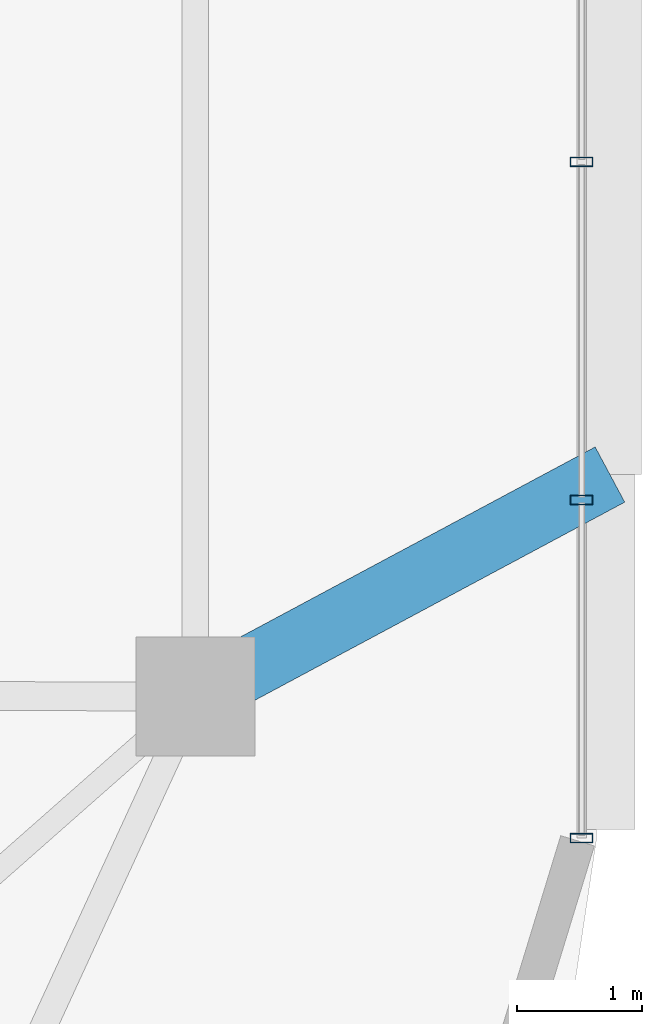
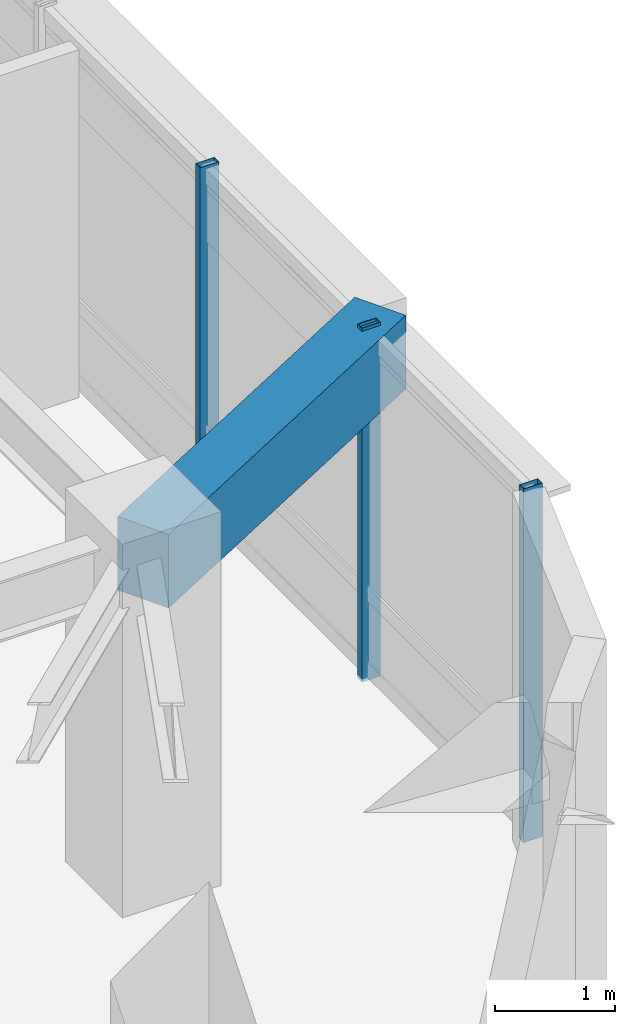
# One storey, part 2 of 14: 3 members, 1 beam, 1 element without a shape of its own.
"""IFC4 building model written with IfcOpenShell, lengths in metres."""

from ifc_helpers import new_model, si_unit, direction, frame, origin, origin_2d, place, context, subcontext, project, spatial, rectangle, hollow_rectangle, extrude, material, material_profile, profile_set, type_object, element, aggregate, save


model = new_model("IFC4")

# Units and contexts
model_context = context("Model", 3, precision=1e-05, world=origin(), true_north=direction((0.0, 1.0)))
body_context = subcontext(model_context, "Body", "Model", "MODEL_VIEW")
ifc_project = project(units=[si_unit("LENGTHUNIT", "METRE"), si_unit("AREAUNIT", "SQUARE_METRE"), si_unit("VOLUMEUNIT", "CUBIC_METRE"), si_unit("PLANEANGLEUNIT", "RADIAN"), si_unit("MASSUNIT", "GRAM", prefix="KILO")], contexts=[model_context])

# Site, building, storey
site_placement = place(None, origin())
site = spatial("IfcSite", under=ifc_project, at=site_placement, CompositionType="ELEMENT")
building_placement = place(site_placement, origin())
building = spatial("IfcBuilding", under=site, at=building_placement, Name="Zulverin Broadcast Headquarters", CompositionType="ELEMENT")
storey_placement = place(building_placement, frame((0.0, 0.0, 201.0)))
storey = spatial("IfcBuildingStorey", under=building, at=storey_placement, Name="L51", CompositionType="ELEMENT", Elevation=201.0)

# Beam
ifc_material_1 = material(Name="Concrete C40/50", Category="concrete")
ifc_material_profile_1 = material_profile(ifc_material_1, rectangle(XDim=0.5, YDim=0.75, at=origin_2d()), Name="Concrete C40/50", Category="concrete")
ifc_profile_set_1 = profile_set([ifc_material_profile_1], Name="Concrete C40/50")
beam_type = type_object("IfcBeamType", Name="BM-RC-500x750", PredefinedType="BEAM", material=ifc_profile_set_1)
beam_placement = place(storey_placement, frame((60.60009765625, 17.519287109375, 3.1650390625), z_axis=(0.881522552511, 0.472141916604, 0.0), x_axis=(-0.472141916604, 0.881522552511, 0.0)))
element("IfcBeam", 1, at=beam_placement, inside=storey, type_object=beam_type, Name="L52 Balcony Column-Framed Cantilever BAL_E-1", PredefinedType="BEAM", context=body_context, shape_type="SweptSolid", body=[
    extrude(rectangle(XDim=0.5, YDim=0.75, at=origin_2d()), origin(), (0.0, 0.0, 1.0), 3.75),
])

# Curtain wall, members
ifc_material_2 = material(Name="Waist wind-pressure unitised curtain wall", Category="aluminium")
curtain_wall_type = type_object("IfcCurtainWallType", Name="CW-TWR-WST", PredefinedType="USERDEFINED", material=ifc_material_2)
curtain_wall_placement = place(storey_placement, origin())
curtain_wall = element("IfcCurtainWall", 2, at=curtain_wall_placement, inside=storey, type_object=curtain_wall_type, Name="L51 Unitised Curtain Wall CW-L51-E3", ObjectType="UNITISED CURTAIN WALL", PredefinedType="USERDEFINED")
ifc_material_3 = material(Name="Anodized pale-metal aluminium alloy 6063-T6", Category="aluminium")
ifc_material_profile_2 = material_profile(ifc_material_3, hollow_rectangle(XDim=0.074951171875, YDim=0.179931640625, WallThickness=0.0048828125, at=origin_2d()), Name="Anodized pale-metal aluminium alloy 6063-T6", Category="aluminium")
ifc_profile_set_2 = profile_set([ifc_material_profile_2], Name="Anodized pale-metal aluminium alloy 6063-T6")
member_type = type_object("IfcMemberType", Name="CW-MUL-180", PredefinedType="MULLION", material=ifc_profile_set_2)
member_1_placement = place(storey_placement, frame((63.679931640625, 16.390380859375, -0.030029296875), z_axis=(0.0, 0.0, 1.0), x_axis=(0.0, 1.0, 0.0)))
member_1 = element("IfcMember", 3, at=member_1_placement, type_object=member_type, Name="CW-L51-E3 Mullion 00", PredefinedType="MULLION", context=body_context, shape_type="SweptSolid", body=[
    extrude(hollow_rectangle(XDim=0.074951171875, YDim=0.179931640625, WallThickness=0.0048828125, at=origin_2d()), origin(), (0.0, 0.0, 1.0), 3.60009765625),
])
member_2_placement = place(storey_placement, frame((63.679931640625, 19.0869140625, -0.030029296875), z_axis=(0.0, 0.0, 1.0), x_axis=(0.0, 1.0, 0.0)))
member_2 = element("IfcMember", 4, at=member_2_placement, type_object=member_type, Name="CW-L51-E3 Mullion 01", PredefinedType="MULLION", context=body_context, shape_type="SweptSolid", body=[
    extrude(hollow_rectangle(XDim=0.074951171875, YDim=0.179931640625, WallThickness=0.0048828125, at=origin_2d()), origin(), (0.0, 0.0, 1.0), 3.60009765625),
])
member_3_placement = place(storey_placement, frame((63.679931640625, 21.783447265625, -0.030029296875), z_axis=(0.0, 0.0, 1.0), x_axis=(0.0, 1.0, 0.0)))
member_3 = element("IfcMember", 5, at=member_3_placement, type_object=member_type, Name="CW-L51-E3 Mullion 02", PredefinedType="MULLION", context=body_context, shape_type="SweptSolid", body=[
    extrude(hollow_rectangle(XDim=0.074951171875, YDim=0.179931640625, WallThickness=0.0048828125, at=origin_2d()), origin(), (0.0, 0.0, 1.0), 3.60009765625),
])
aggregate(curtain_wall, [member_1, member_2, member_3])

save(model, "model.ifc")
